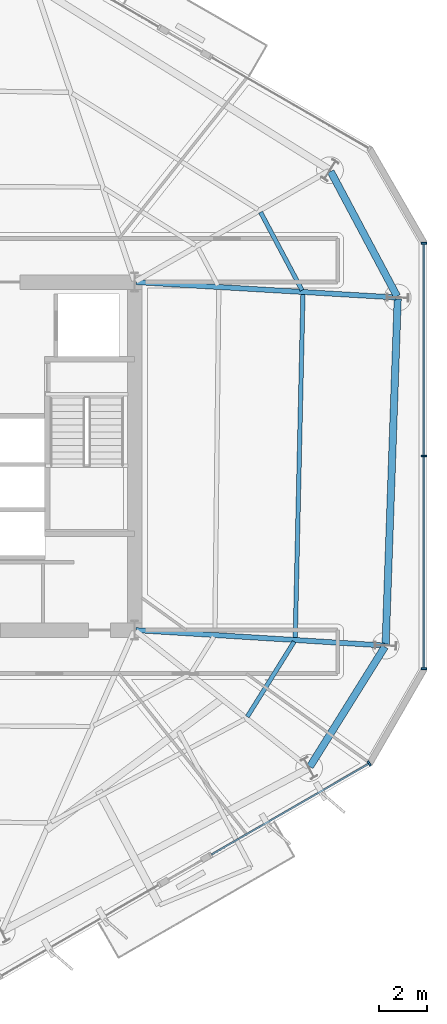
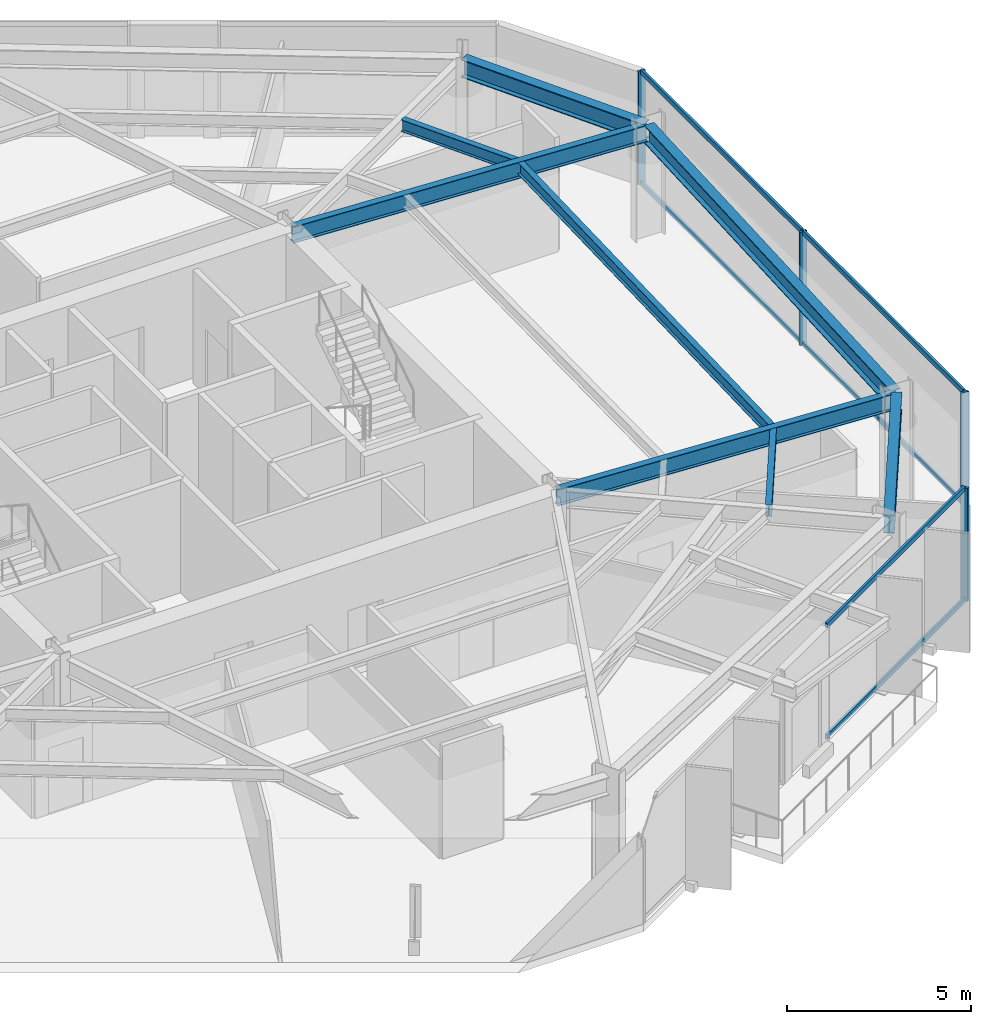
# One storey, part 4 of 11: 10 members, 8 beams, 2 elements without a shape of their own.
"""IFC4 building model written with IfcOpenShell, lengths in metres."""

from ifc_helpers import new_model, si_unit, direction, frame, origin, origin_2d, place, context, subcontext, project, spatial, rectangle, i_section, extrude, material, layer, layer_set, material_profile, profile_set, type_object, element, aggregate, save


model = new_model("IFC4")

# Units and contexts
model_context = context("Model", 3, precision=1e-05, world=origin(), true_north=direction((0.0, 1.0)))
body_context = subcontext(model_context, "Body", "Model", "MODEL_VIEW")
ifc_project = project(units=[si_unit("LENGTHUNIT", "METRE"), si_unit("AREAUNIT", "SQUARE_METRE"), si_unit("VOLUMEUNIT", "CUBIC_METRE"), si_unit("PLANEANGLEUNIT", "RADIAN"), si_unit("MASSUNIT", "GRAM", prefix="KILO")], contexts=[model_context])

# Site, building, storey
site_placement = place(None, origin())
site = spatial("IfcSite", under=ifc_project, at=site_placement, CompositionType="ELEMENT")
building_placement = place(site_placement, origin())
building = spatial("IfcBuilding", under=site, at=building_placement, Name="Kranzbogen Civic Tower", CompositionType="ELEMENT")
storey_placement = place(building_placement, frame((0.0, 0.0, 142.39990234375)))
storey = spatial("IfcBuildingStorey", under=building, at=storey_placement, Name="L34", CompositionType="ELEMENT", Elevation=142.39990234375)

# Curtain wall, member
ifc_material_1 = material(Name="Pale Anodised Aluminium", Category="aluminium")
ifc_layer = layer(ifc_material_1, 0.219970703125, Name="Pale Anodised Aluminium")
ifc_layer_set = layer_set([ifc_layer], Name="Pale Anodised Aluminium")
curtain_wall_type = type_object("IfcCurtainWallType", Name="Zone 2 Stick Curtain Wall System CW-03", PredefinedType="USERDEFINED", material=ifc_layer_set)
curtain_wall_1_placement = place(storey_placement, origin())
curtain_wall_1 = element("IfcCurtainWall", 1, at=curtain_wall_1_placement, inside=storey, type_object=curtain_wall_type, Name="L34 curtain wall CW-L34-F5-S2", ObjectType="STICK CURTAIN WALL", PredefinedType="USERDEFINED")
ifc_material_profile_1 = material_profile(ifc_material_1, rectangle(XDim=0.074951171875, YDim=0.219970703125, at=origin_2d()), Name="ALU-M 75x220")
ifc_profile_set_1 = profile_set([ifc_material_profile_1], Name="Pale Anodised Aluminium")
member_type_1 = type_object("IfcMemberType", Name="Curtain Wall Mullion ALU-M 75x220", PredefinedType="MULLION", material=ifc_profile_set_1)
member_1_placement = place(storey_placement, frame((42.510986328125, 12.279052734375, 0.0), z_axis=(0.0, 0.0, 1.0), x_axis=(0.865993641626, 0.500055009637, 0.0)))
member_1 = element("IfcMember", 2, at=member_1_placement, type_object=member_type_1, Name="CW-03 mullion 2", PredefinedType="MULLION", context=body_context, shape_type="SweptSolid", body=[
    extrude(rectangle(XDim=0.074951171875, YDim=0.219970703125, at=origin_2d()), origin(), (0.0, 0.0, 1.0), 3.760009765625),
])

# Curtain wall, members
curtain_wall_2_placement = place(storey_placement, origin())
curtain_wall_2 = element("IfcCurtainWall", 3, at=curtain_wall_2_placement, inside=storey, type_object=curtain_wall_type, Name="L34 curtain wall CW-L34-F6", ObjectType="STICK CURTAIN WALL", PredefinedType="USERDEFINED")
member_2_placement = place(storey_placement, frame((44.77197265625, 16.196044921875, 0.0), z_axis=(0.0, 0.0, 1.0), x_axis=(0.0, 1.0, 0.0)))
member_2 = element("IfcMember", 4, at=member_2_placement, type_object=member_type_1, Name="CW-03 mullion 1", PredefinedType="MULLION", context=body_context, shape_type="SweptSolid", body=[
    extrude(rectangle(XDim=0.074951171875, YDim=0.219970703125, at=origin_2d()), origin(), (0.0, 0.0, 1.0), 3.760009765625),
])
member_3_placement = place(storey_placement, frame((44.77197265625, 25.0, 0.0), z_axis=(0.0, 0.0, 1.0), x_axis=(0.0, 1.0, 0.0)))
member_3 = element("IfcMember", 5, at=member_3_placement, type_object=member_type_1, Name="CW-03 mullion 2", PredefinedType="MULLION", context=body_context, shape_type="SweptSolid", body=[
    extrude(rectangle(XDim=0.074951171875, YDim=0.219970703125, at=origin_2d()), origin(), (0.0, 0.0, 1.0), 3.760009765625),
])
member_4_placement = place(storey_placement, frame((44.77197265625, 33.803955078125, 0.0), z_axis=(0.0, 0.0, 1.0), x_axis=(0.0, 1.0, 0.0)))
member_4 = element("IfcMember", 6, at=member_4_placement, type_object=member_type_1, Name="CW-03 mullion 3", PredefinedType="MULLION", context=body_context, shape_type="SweptSolid", body=[
    extrude(rectangle(XDim=0.074951171875, YDim=0.219970703125, at=origin_2d()), origin(), (0.0, 0.0, 1.0), 3.760009765625),
])

# Member
ifc_material_profile_2 = material_profile(ifc_material_1, rectangle(XDim=0.074951171875, YDim=0.1650390625, at=origin_2d()), Name="ALU-T 75x165")
ifc_profile_set_2 = profile_set([ifc_material_profile_2], Name="Pale Anodised Aluminium")
member_type_2 = type_object("IfcMemberType", Name="Curtain Wall Transom ALU-T 75x165", PredefinedType="USERDEFINED", material=ifc_profile_set_2)
member_5_placement = place(storey_placement, frame((35.97705078125, 8.506103515625, 0.030029296875), z_axis=(0.866003262869, 0.500038347229, 0.0), x_axis=(-0.500038347229, 0.866003262869, 0.0)))
member_5 = element("IfcMember", 7, at=member_5_placement, type_object=member_type_2, Name="CW-03 transom 1.1", ObjectType="TRANSOM", PredefinedType="USERDEFINED", context=body_context, shape_type="SweptSolid", body=[
    extrude(rectangle(XDim=0.074951171875, YDim=0.1650390625, at=origin_2d()), origin(), (0.0, 0.0, 1.0), 7.51513671875),
])

member_6_placement = place(storey_placement, frame((35.97705078125, 8.506103515625, 3.72998046875), z_axis=(0.866003262869, 0.500038347229, 0.0), x_axis=(-0.500038347229, 0.866003262869, 0.0)))
member_6 = element("IfcMember", 8, at=member_6_placement, type_object=member_type_2, Name="CW-03 transom 1.2", ObjectType="TRANSOM", PredefinedType="USERDEFINED", context=body_context, shape_type="SweptSolid", body=[
    extrude(rectangle(XDim=0.074951171875, YDim=0.1650390625, at=origin_2d()), origin(), (0.0, 0.0, 1.0), 7.51513671875),
])

aggregate(curtain_wall_1, [member_1, member_5, member_6])

member_7_placement = place(storey_placement, frame((44.77197265625, 16.22607421875, 0.030029296875), z_axis=(0.0, 1.0, 0.0), x_axis=(-1.0, 0.0, 0.0)))
member_7 = element("IfcMember", 9, at=member_7_placement, type_object=member_type_2, Name="CW-03 transom 1.1", ObjectType="TRANSOM", PredefinedType="USERDEFINED", context=body_context, shape_type="SweptSolid", body=[
    extrude(rectangle(XDim=0.074951171875, YDim=0.1650390625, at=origin_2d()), origin(), (0.0, 0.0, 1.0), 8.743896484375),
])

member_8_placement = place(storey_placement, frame((44.77197265625, 16.22607421875, 3.72998046875), z_axis=(0.0, 1.0, 0.0), x_axis=(-1.0, 0.0, 0.0)))
member_8 = element("IfcMember", 10, at=member_8_placement, type_object=member_type_2, Name="CW-03 transom 1.2", ObjectType="TRANSOM", PredefinedType="USERDEFINED", context=body_context, shape_type="SweptSolid", body=[
    extrude(rectangle(XDim=0.074951171875, YDim=0.1650390625, at=origin_2d()), origin(), (0.0, 0.0, 1.0), 8.743896484375),
])

member_9_placement = place(storey_placement, frame((44.77197265625, 25.030029296875, 0.030029296875), z_axis=(0.0, 1.0, 0.0), x_axis=(-1.0, 0.0, 0.0)))
member_9 = element("IfcMember", 11, at=member_9_placement, type_object=member_type_2, Name="CW-03 transom 2.1", ObjectType="TRANSOM", PredefinedType="USERDEFINED", context=body_context, shape_type="SweptSolid", body=[
    extrude(rectangle(XDim=0.074951171875, YDim=0.1650390625, at=origin_2d()), origin(), (0.0, 0.0, 1.0), 8.743896484375),
])

member_10_placement = place(storey_placement, frame((44.77197265625, 25.030029296875, 3.72998046875), z_axis=(0.0, 1.0, 0.0), x_axis=(-1.0, 0.0, 0.0)))
member_10 = element("IfcMember", 12, at=member_10_placement, type_object=member_type_2, Name="CW-03 transom 2.2", ObjectType="TRANSOM", PredefinedType="USERDEFINED", context=body_context, shape_type="SweptSolid", body=[
    extrude(rectangle(XDim=0.074951171875, YDim=0.1650390625, at=origin_2d()), origin(), (0.0, 0.0, 1.0), 8.743896484375),
])

aggregate(curtain_wall_2, [member_2, member_3, member_4, member_7, member_8, member_9, member_10])

# Beams
ifc_material_2 = material(Name="Steel S355", Category="steel")
ifc_material_profile_3 = material_profile(ifc_material_2, i_section(OverallWidth=0.300048828125, OverallDepth=0.60009765625, WebThickness=0.015380859375, FlangeThickness=0.030029296875, at=origin_2d()), Name="HEB 600")
ifc_profile_set_3 = profile_set([ifc_material_profile_3], Name="Steel S355")
beam_type_1 = type_object("IfcBeamType", Name="Perimeter Tube Spandrel Beam HEB 600", PredefinedType="SPANDREL", material=ifc_profile_set_3)
beam_1_placement = place(storey_placement, frame((40.054931640625, 12.14306640625, 3.460205078125), z_axis=(0.529863902903, 0.848082687242, 0.0), x_axis=(-0.848082687242, 0.529863902903, 0.0)))
element("IfcBeam", 13, at=beam_1_placement, inside=storey, type_object=beam_type_1, Name="L34 perimeter spandrel beam 05", PredefinedType="SPANDREL", context=body_context, shape_type="SweptSolid", body=[
    extrude(i_section(OverallWidth=0.300048828125, OverallDepth=0.60009765625, WebThickness=0.015380859375, FlangeThickness=0.030029296875, at=origin_2d()), origin(), (0.0, 0.0, 1.0), 5.850830078125),
])
beam_2_placement = place(storey_placement, frame((43.18896484375, 17.216064453125, 3.460205078125), z_axis=(0.034924229103, 0.999389963038, 0.0), x_axis=(-0.999389963038, 0.034924229103, 0.0)))
element("IfcBeam", 14, at=beam_2_placement, inside=storey, type_object=beam_type_1, Name="L34 perimeter spandrel beam 06", PredefinedType="SPANDREL", context=body_context, shape_type="SweptSolid", body=[
    extrude(i_section(OverallWidth=0.300048828125, OverallDepth=0.60009765625, WebThickness=0.015380859375, FlangeThickness=0.030029296875, at=origin_2d()), origin(), (0.0, 0.0, 1.0), 14.288818359375),
])
beam_3_placement = place(storey_placement, frame((43.662109375, 31.60888671875, 3.460205078125), z_axis=(-0.469565926668, 0.882897412224, 0.0), x_axis=(-0.882897412224, -0.469565926668, 0.0)))
element("IfcBeam", 15, at=beam_3_placement, inside=storey, type_object=beam_type_1, Name="L34 perimeter spandrel beam 07", PredefinedType="SPANDREL", context=body_context, shape_type="SweptSolid", body=[
    extrude(i_section(OverallWidth=0.300048828125, OverallDepth=0.60009765625, WebThickness=0.015380859375, FlangeThickness=0.030029296875, at=origin_2d()), origin(), (0.0, 0.0, 1.0), 5.852294921875),
])
ifc_material_profile_4 = material_profile(ifc_material_2, i_section(OverallWidth=0.2099609375, OverallDepth=0.550048828125, WebThickness=0.010986328125, FlangeThickness=0.01708984375, at=origin_2d()), Name="IPE 550")
ifc_profile_set_4 = profile_set([ifc_material_profile_4], Name="Steel S355")
beam_type_2 = type_object("IfcBeamType", Name="Radial Tower Floor Girder IPE 550", PredefinedType="BEAM", material=ifc_profile_set_4)
beam_4_placement = place(storey_placement, frame((43.126953125, 17.159912109375, 3.485107421875), z_axis=(-0.998086872961, 0.061827130147, 0.0), x_axis=(-0.061827130147, -0.998086872961, 0.0)))
element("IfcBeam", 16, at=beam_4_placement, inside=storey, type_object=beam_type_2, Name="L34 radial floor girder 06", PredefinedType="BEAM", context=body_context, shape_type="SweptSolid", body=[
    extrude(i_section(OverallWidth=0.2099609375, OverallDepth=0.550048828125, WebThickness=0.010986328125, FlangeThickness=0.01708984375, at=origin_2d()), origin(), (0.0, 0.0, 1.0), 10.28662109375),
])
beam_5_placement = place(storey_placement, frame((43.6298828125, 31.56005859375, 3.485107421875), z_axis=(-0.998260925387, 0.058950189528, 0.0), x_axis=(-0.058950189528, -0.998260925387, 0.0)))
element("IfcBeam", 17, at=beam_5_placement, inside=storey, type_object=beam_type_2, Name="L34 radial floor girder 07", PredefinedType="BEAM", context=body_context, shape_type="SweptSolid", body=[
    extrude(i_section(OverallWidth=0.2099609375, OverallDepth=0.550048828125, WebThickness=0.010986328125, FlangeThickness=0.01708984375, at=origin_2d()), origin(), (0.0, 0.0, 1.0), 10.78857421875),
])
ifc_material_profile_5 = material_profile(ifc_material_2, i_section(OverallWidth=0.179931640625, OverallDepth=0.39990234375, WebThickness=0.008544921875, FlangeThickness=0.013427734375, at=origin_2d()), Name="IPE 400")
ifc_profile_set_5 = profile_set([ifc_material_profile_5], Name="Steel S355")
beam_type_3 = type_object("IfcBeamType", Name="Secondary Composite Floor Joist IPE 400", PredefinedType="JOIST", material=ifc_profile_set_5)
beam_6_placement = place(storey_placement, frame((37.465087890625, 14.215087890625, 3.56005859375), z_axis=(0.529867065107, 0.848080711557, 0.0), x_axis=(-0.848080711557, 0.529867065107, 0.0)))
element("IfcBeam", 18, at=beam_6_placement, inside=storey, type_object=beam_type_3, Name="L34 secondary floor joist 1.05", PredefinedType="JOIST", context=body_context, shape_type="SweptSolid", body=[
    extrude(i_section(OverallWidth=0.179931640625, OverallDepth=0.39990234375, WebThickness=0.008544921875, FlangeThickness=0.013427734375, at=origin_2d()), origin(), (0.0, 0.0, 1.0), 3.6611328125),
])
beam_7_placement = place(storey_placement, frame((39.448974609375, 17.468017578125, 3.56005859375), z_axis=(0.022402523442, 0.999749031979, 0.0), x_axis=(-0.999749031979, 0.022402523442, 0.0)))
element("IfcBeam", 19, at=beam_7_placement, inside=storey, type_object=beam_type_3, Name="L34 secondary floor joist 1.06", PredefinedType="JOIST", context=body_context, shape_type="SweptSolid", body=[
    extrude(i_section(OverallWidth=0.179931640625, OverallDepth=0.39990234375, WebThickness=0.008544921875, FlangeThickness=0.013427734375, at=origin_2d()), origin(), (0.0, 0.0, 1.0), 14.24365234375),
])
beam_8_placement = place(storey_placement, frame((39.73193359375, 31.85791015625, 3.56005859375), z_axis=(-0.469338791783, 0.88301817565, 0.0), x_axis=(-0.88301817565, -0.469338791783, 0.0)))
element("IfcBeam", 20, at=beam_8_placement, inside=storey, type_object=beam_type_3, Name="L34 secondary floor joist 1.07", PredefinedType="JOIST", context=body_context, shape_type="SweptSolid", body=[
    extrude(i_section(OverallWidth=0.179931640625, OverallDepth=0.39990234375, WebThickness=0.008544921875, FlangeThickness=0.013427734375, at=origin_2d()), origin(), (0.0, 0.0, 1.0), 3.66259765625),
])

save(model, "model.ifc")
